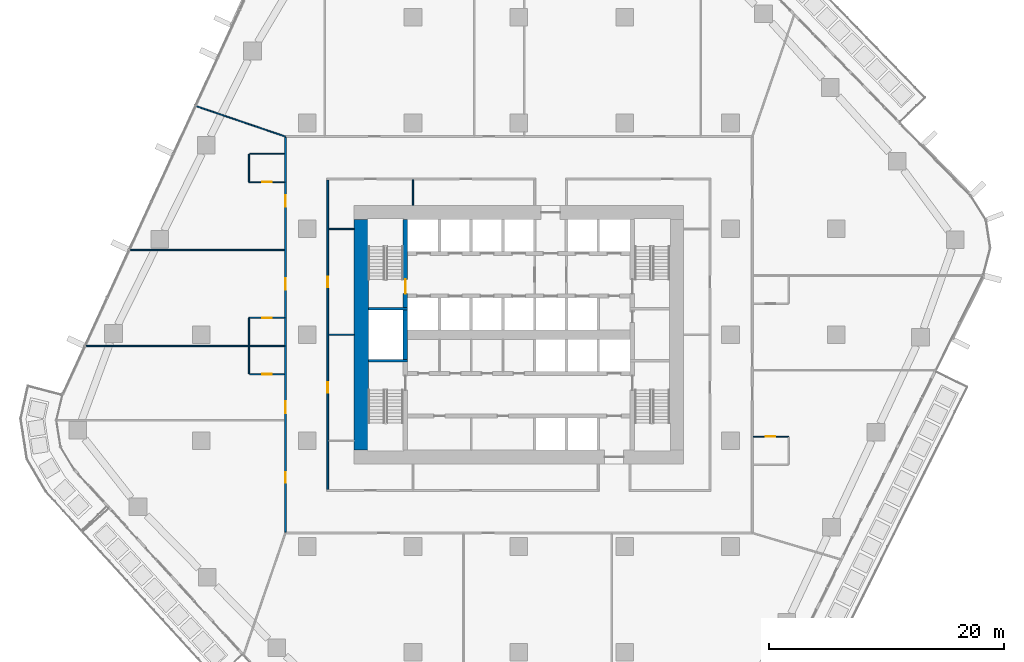
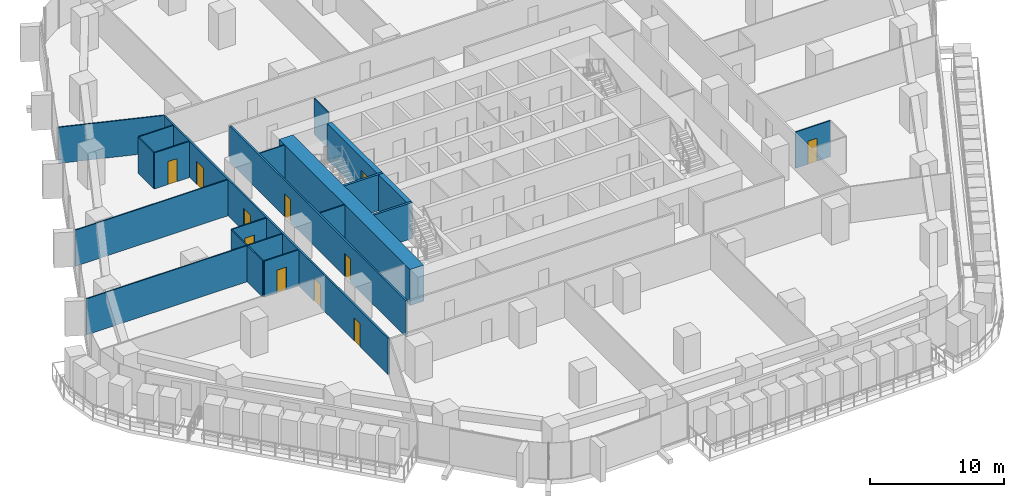
# One storey, part 14 of 26: 21 walls, 11 doors, 11 openings.
"""IFC4 building model written with IfcOpenShell, lengths in metres."""

from ifc_helpers import new_model, si_unit, direction, frame, frame_2d, origin, place, context, subcontext, project, spatial, rectangle, extrude, material, layer, layer_set, type_object, element, fill, save


model = new_model("IFC4")

# Units and contexts
model_context = context("Model", 3, precision=1e-05, world=origin(), true_north=direction((0.0, 1.0)))
body_context = subcontext(model_context, "Body", "Model", "MODEL_VIEW")
ifc_project = project(units=[si_unit("LENGTHUNIT", "METRE"), si_unit("AREAUNIT", "SQUARE_METRE"), si_unit("VOLUMEUNIT", "CUBIC_METRE"), si_unit("PLANEANGLEUNIT", "RADIAN"), si_unit("MASSUNIT", "GRAM", prefix="KILO")], contexts=[model_context])

# Site, building, storey
site_placement = place(None, origin())
site = spatial("IfcSite", under=ifc_project, at=site_placement, CompositionType="ELEMENT")
building_placement = place(site_placement, origin())
building = spatial("IfcBuilding", under=site, at=building_placement, Name="Dongbaek Canopy Tower", CompositionType="ELEMENT")
storey_placement = place(building_placement, frame((0.0, 0.0, 69.89990234375)))
storey = spatial("IfcBuildingStorey", under=building, at=storey_placement, Name="L13", CompositionType="ELEMENT", Elevation=69.89990234375)

# Wall
ifc_material_1 = material(Name="Concrete C60/75", Category="concrete")
ifc_layer_1 = layer(ifc_material_1, 1.199951171875)
ifc_layer_set_1 = layer_set([ifc_layer_1], Name="Core outer wall 1200 Concrete C60/75")
wall_type_1 = type_object("IfcWallType", Name="Core outer wall 1200 Concrete C60/75", PredefinedType="SHEAR", material=ifc_layer_set_1)
wall_1_placement = place(storey_placement, frame((-13.39990234375, -9.800048828125, 0.0), z_axis=(0.0, 0.0, 1.0), x_axis=(0.0, 1.0, 0.0)))
element("IfcWall", 1, at=wall_1_placement, inside=storey, type_object=wall_type_1, Name="Core wall", PredefinedType="SHEAR", context=body_context, shape_type="SweptSolid", body=[
    extrude(rectangle(XDim=19.60009765625, YDim=1.199951171875, at=frame_2d((9.800048828125, 0.0))), origin(), (0.0, 0.0, 1.0), 3.300048828125),
])

# Wall, openings, doors
ifc_material_2 = material(Name="Gypsum board partition, steel stud, 2 x 15 mm fire board", Category="steel")
ifc_layer_2 = layer(ifc_material_2, 0.14990234375)
ifc_layer_set_2 = layer_set([ifc_layer_2], Name="Fire-rated partition 150 gypsum board")
wall_type_2 = type_object("IfcWallType", Name="Fire-rated partition 150 gypsum board", PredefinedType="PARTITIONING", material=ifc_layer_set_2)
wall_2_placement = place(storey_placement, frame((-16.25, 13.175048828125, 0.0), z_axis=(0.0, 0.0, 1.0), x_axis=(0.0, -1.0, 0.0)))
wall_2 = element("IfcWall", 2, at=wall_2_placement, inside=storey, type_object=wall_type_2, Name="Corridor partition", PredefinedType="PARTITIONING", context=body_context, shape_type="SweptSolid", body=[
    extrude(rectangle(XDim=26.35009765625, YDim=0.14990234375, at=frame_2d((13.175048828125, 0.0))), origin(), (0.0, 0.0, 1.0), 3.300048828125),
])
opening_1_placement = place(wall_2_placement, frame((17.22509765625, 0.0, 0.0)))
opening_1 = element("IfcOpeningElement", 3, at=opening_1_placement, cuts=wall_2, Name="Opening L13-D018", PredefinedType="OPENING", context=body_context, shape_type="SweptSolid", body=[
    extrude(rectangle(XDim=0.89990234375, YDim=2.10009765625, at=frame_2d((0.449951171875, 1.050048828125))), frame((0.0, 0.0849609375, 0.0), z_axis=(0.0, -1.0, 0.0), x_axis=(1.0, 0.0, 0.0)), (0.0, 0.0, 1.0), 0.169921875),
])
opening_2_placement = place(wall_2_placement, frame((8.22509765625, 0.0, 0.0)))
opening_2 = element("IfcOpeningElement", 4, at=opening_2_placement, cuts=wall_2, Name="Opening L13-D026", PredefinedType="OPENING", context=body_context, shape_type="SweptSolid", body=[
    extrude(rectangle(XDim=0.89990234375, YDim=2.10009765625, at=frame_2d((0.449951171875, 1.050048828125))), frame((0.0, 0.0849609375, 0.0), z_axis=(0.0, -1.0, 0.0), x_axis=(1.0, 0.0, 0.0)), (0.0, 0.0, 1.0), 0.169921875),
])
ifc_material_3 = material(Name="Timber veneered door leaf", Category="wood")
door_type_1 = type_object("IfcDoorType", Name="Room door 900 x 2100", OperationType="SINGLE_SWING_LEFT", PredefinedType="DOOR", material=ifc_material_3)
door_1_placement = place(opening_1_placement, origin())
door_1 = element("IfcDoor", 5, at=door_1_placement, inside=storey, type_object=door_type_1, Name="Door L13-D018", OperationType="SINGLE_SWING_RIGHT", OverallHeight=2.10009765625, OverallWidth=0.89990234375, PredefinedType="DOOR", context=body_context, shape_type="SweptSolid", body=[
    extrude(rectangle(XDim=0.89990234375, YDim=2.10009765625, at=frame_2d((0.449951171875, 1.050048828125))), frame((0.0, 0.02490234375, 0.0), z_axis=(0.0, -1.0, 0.0), x_axis=(1.0, 0.0, 0.0)), (0.0, 0.0, 1.0), 0.050048828125),
])
fill(opening_1, door_1)
door_2_placement = place(opening_2_placement, origin())
door_2 = element("IfcDoor", 6, at=door_2_placement, inside=storey, type_object=door_type_1, Name="Door L13-D026", OperationType="SINGLE_SWING_RIGHT", OverallHeight=2.10009765625, OverallWidth=0.89990234375, PredefinedType="DOOR", context=body_context, shape_type="SweptSolid", body=[
    extrude(rectangle(XDim=0.89990234375, YDim=2.10009765625, at=frame_2d((0.449951171875, 1.050048828125))), frame((0.0, 0.02490234375, 0.0), z_axis=(0.0, -1.0, 0.0), x_axis=(1.0, 0.0, 0.0)), (0.0, 0.0, 1.0), 0.050048828125),
])
fill(opening_2, door_2)

wall_3_placement = place(storey_placement, frame((-19.85009765625, -16.77490234375, 0.0), z_axis=(0.0, 0.0, 1.0), x_axis=(0.0, 1.0, 0.0)))
wall_3 = element("IfcWall", 7, at=wall_3_placement, inside=storey, type_object=wall_type_2, Name="Corridor partition", PredefinedType="PARTITIONING", context=body_context, shape_type="SweptSolid", body=[
    extrude(rectangle(XDim=33.5498046875, YDim=0.14990234375, at=frame_2d((16.77490234375, 0.0))), origin(), (0.0, 0.0, 1.0), 3.300048828125),
])
opening_3_placement = place(wall_3_placement, frame((10.123046875, 0.0, 0.0)))
opening_3 = element("IfcOpeningElement", 8, at=opening_3_placement, cuts=wall_3, Name="Opening L13-D002", PredefinedType="OPENING", context=body_context, shape_type="SweptSolid", body=[
    extrude(rectangle(XDim=1.0, YDim=2.10009765625, at=frame_2d((0.5, 1.050048828125))), frame((0.0, 0.0849609375, 0.0), z_axis=(0.0, -1.0, 0.0), x_axis=(1.0, 0.0, 0.0)), (0.0, 0.0, 1.0), 0.169921875),
])
opening_4_placement = place(wall_3_placement, frame((4.178955078125, 0.0, 0.0)))
opening_4 = element("IfcOpeningElement", 9, at=opening_4_placement, cuts=wall_3, Name="Opening L13-D003", PredefinedType="OPENING", context=body_context, shape_type="SweptSolid", body=[
    extrude(rectangle(XDim=0.89990234375, YDim=2.10009765625, at=frame_2d((0.449951171875, 1.050048828125))), frame((0.0, 0.0849609375, 0.0), z_axis=(0.0, -1.0, 0.0), x_axis=(1.0, 0.0, 0.0)), (0.0, 0.0, 1.0), 0.169921875),
])
opening_5_placement = place(wall_3_placement, frame((27.651123046875, 0.0, 0.0)))
opening_5 = element("IfcOpeningElement", 10, at=opening_5_placement, cuts=wall_3, Name="Opening L13-D015", PredefinedType="OPENING", context=body_context, shape_type="SweptSolid", body=[
    extrude(rectangle(XDim=1.0, YDim=2.10009765625, at=frame_2d((0.5, 1.050048828125))), frame((0.0, 0.0849609375, 0.0), z_axis=(0.0, -1.0, 0.0), x_axis=(1.0, 0.0, 0.0)), (0.0, 0.0, 1.0), 0.169921875),
])
opening_6_placement = place(wall_3_placement, frame((20.6005859375, 0.0, 0.0)))
opening_6 = element("IfcOpeningElement", 11, at=opening_6_placement, cuts=wall_3, Name="Opening L13-D017", PredefinedType="OPENING", context=body_context, shape_type="SweptSolid", body=[
    extrude(rectangle(XDim=1.0, YDim=2.10009765625, at=frame_2d((0.5, 1.050048828125))), frame((0.0, 0.0849609375, 0.0), z_axis=(0.0, -1.0, 0.0), x_axis=(1.0, 0.0, 0.0)), (0.0, 0.0, 1.0), 0.169921875),
])
ifc_material_4 = material(Name="Timber veneered door leaf", Category="wood")
door_type_2 = type_object("IfcDoorType", Name="Guest room door 1000 x 2100", OperationType="SINGLE_SWING_LEFT", PredefinedType="DOOR", material=ifc_material_4)
door_3_placement = place(opening_3_placement, origin())
door_3 = element("IfcDoor", 12, at=door_3_placement, inside=storey, type_object=door_type_2, Name="Door L13-D002", OperationType="SINGLE_SWING_RIGHT", OverallHeight=2.10009765625, OverallWidth=1.0, PredefinedType="DOOR", context=body_context, shape_type="SweptSolid", body=[
    extrude(rectangle(XDim=1.0, YDim=2.10009765625, at=frame_2d((0.5, 1.050048828125))), frame((0.0, 0.02490234375, 0.0), z_axis=(0.0, -1.0, 0.0), x_axis=(1.0, 0.0, 0.0)), (0.0, 0.0, 1.0), 0.050048828125),
])
fill(opening_3, door_3)
door_4_placement = place(opening_5_placement, origin())
door_4 = element("IfcDoor", 13, at=door_4_placement, inside=storey, type_object=door_type_2, Name="Door L13-D015", OperationType="SINGLE_SWING_RIGHT", OverallHeight=2.10009765625, OverallWidth=1.0, PredefinedType="DOOR", context=body_context, shape_type="SweptSolid", body=[
    extrude(rectangle(XDim=1.0, YDim=2.10009765625, at=frame_2d((0.5, 1.050048828125))), frame((0.0, 0.02490234375, 0.0), z_axis=(0.0, -1.0, 0.0), x_axis=(1.0, 0.0, 0.0)), (0.0, 0.0, 1.0), 0.050048828125),
])
fill(opening_5, door_4)
door_5_placement = place(opening_6_placement, origin())
door_5 = element("IfcDoor", 14, at=door_5_placement, inside=storey, type_object=door_type_2, Name="Door L13-D017", OperationType="SINGLE_SWING_LEFT", OverallHeight=2.10009765625, OverallWidth=1.0, PredefinedType="DOOR", context=body_context, shape_type="SweptSolid", body=[
    extrude(rectangle(XDim=1.0, YDim=2.10009765625, at=frame_2d((0.5, 1.050048828125))), frame((0.0, 0.02490234375, 0.0), z_axis=(0.0, -1.0, 0.0), x_axis=(1.0, 0.0, 0.0)), (0.0, 0.0, 1.0), 0.050048828125),
])
fill(opening_6, door_5)
door_6_placement = place(opening_4_placement, origin())
door_6 = element("IfcDoor", 15, at=door_6_placement, inside=storey, type_object=door_type_1, Name="Door L13-D003", OperationType="SINGLE_SWING_LEFT", OverallHeight=2.10009765625, OverallWidth=0.89990234375, PredefinedType="DOOR", context=body_context, shape_type="SweptSolid", body=[
    extrude(rectangle(XDim=0.89990234375, YDim=2.10009765625, at=frame_2d((0.449951171875, 1.050048828125))), frame((0.0, 0.02490234375, 0.0), z_axis=(0.0, -1.0, 0.0), x_axis=(1.0, 0.0, 0.0)), (0.0, 0.0, 1.0), 0.050048828125),
])
fill(opening_4, door_6)

# Wall, opening, door
ifc_material_5 = material(Name="Gypsum board partition, steel stud, 2 x 12.5 mm board", Category="steel")
ifc_layer_3 = layer(ifc_material_5, 0.10009765625)
ifc_layer_set_3 = layer_set([ifc_layer_3], Name="Partition 100 gypsum board")
wall_type_3 = type_object("IfcWallType", Name="Partition 100 gypsum board", PredefinedType="PARTITIONING", material=ifc_layer_set_3)
wall_4_placement = place(storey_placement, frame((22.949951171875, -8.657958984375, 0.0), z_axis=(0.0, 0.0, 1.0), x_axis=(-1.0, 0.0, 0.0)))
wall_4 = element("IfcWall", 16, at=wall_4_placement, inside=storey, type_object=wall_type_3, Name="Partition", PredefinedType="PARTITIONING", context=body_context, shape_type="SweptSolid", body=[
    extrude(rectangle(XDim=3.02490234375, YDim=0.10009765625, at=frame_2d((1.512451171875, 0.0))), origin(), (0.0, 0.0, 1.0), 3.300048828125),
])
opening_7_placement = place(wall_4_placement, frame((1.14990234375, 0.0, 0.0)))
opening_7 = element("IfcOpeningElement", 17, at=opening_7_placement, cuts=wall_4, Name="Opening L13-D006", PredefinedType="OPENING", context=body_context, shape_type="SweptSolid", body=[
    extrude(rectangle(XDim=0.800048828125, YDim=2.10009765625, at=frame_2d((0.39990234375, 1.050048828125))), frame((0.0, 0.06005859375, 0.0), z_axis=(0.0, -1.0, 0.0), x_axis=(1.0, 0.0, 0.0)), (0.0, 0.0, 1.0), 0.1201171875),
])
ifc_material_6 = material(Name="Timber veneered door leaf", Category="wood")
door_type_3 = type_object("IfcDoorType", Name="En-suite door 800 x 2100", OperationType="SINGLE_SWING_LEFT", PredefinedType="DOOR", material=ifc_material_6)
door_7_placement = place(opening_7_placement, origin())
door_7 = element("IfcDoor", 18, at=door_7_placement, inside=storey, type_object=door_type_3, Name="Door L13-D006", OperationType="SINGLE_SWING_LEFT", OverallHeight=2.10009765625, OverallWidth=0.800048828125, PredefinedType="DOOR", context=body_context, shape_type="SweptSolid", body=[
    extrude(rectangle(XDim=0.800048828125, YDim=2.10009765625, at=frame_2d((0.39990234375, 1.050048828125))), frame((0.0, 0.02490234375, 0.0), z_axis=(0.0, -1.0, 0.0), x_axis=(1.0, 0.0, 0.0)), (0.0, 0.0, 1.0), 0.050048828125),
])
fill(opening_7, door_7)

wall_5_placement = place(storey_placement, frame((-22.89990234375, -3.35888671875, 0.0), z_axis=(0.0, 0.0, 1.0), x_axis=(1.0, 0.0, 0.0)))
wall_5 = element("IfcWall", 19, at=wall_5_placement, inside=storey, type_object=wall_type_3, Name="Partition", PredefinedType="PARTITIONING", context=body_context, shape_type="SweptSolid", body=[
    extrude(rectangle(XDim=2.974853515625, YDim=0.10009765625, at=frame_2d((1.4873046875, 0.0))), origin(), (0.0, 0.0, 1.0), 3.300048828125),
])
opening_8_placement = place(wall_5_placement, frame((1.10009765625, 0.0, 0.0)))
opening_8 = element("IfcOpeningElement", 20, at=opening_8_placement, cuts=wall_5, Name="Opening L13-D001", PredefinedType="OPENING", context=body_context, shape_type="SweptSolid", body=[
    extrude(rectangle(XDim=0.800048828125, YDim=2.10009765625, at=frame_2d((0.39990234375, 1.050048828125))), frame((0.0, 0.06005859375, 0.0), z_axis=(0.0, -1.0, 0.0), x_axis=(1.0, 0.0, 0.0)), (0.0, 0.0, 1.0), 0.1201171875),
])
door_8_placement = place(opening_8_placement, origin())
door_8 = element("IfcDoor", 21, at=door_8_placement, inside=storey, type_object=door_type_3, Name="Door L13-D001", OperationType="SINGLE_SWING_LEFT", OverallHeight=2.10009765625, OverallWidth=0.800048828125, PredefinedType="DOOR", context=body_context, shape_type="SweptSolid", body=[
    extrude(rectangle(XDim=0.800048828125, YDim=2.10009765625, at=frame_2d((0.39990234375, 1.050048828125))), frame((0.0, 0.02490234375, 0.0), z_axis=(0.0, -1.0, 0.0), x_axis=(1.0, 0.0, 0.0)), (0.0, 0.0, 1.0), 0.050048828125),
])
fill(opening_8, door_8)

# Walls
wall_6_placement = place(storey_placement, frame((-36.87890625, -0.958984375, 0.0), z_axis=(0.0, 0.0, 1.0), x_axis=(1.0, 0.0, 0.0)))
element("IfcWall", 22, at=wall_6_placement, inside=storey, type_object=wall_type_3, Name="Partition", PredefinedType="PARTITIONING", context=body_context, shape_type="SweptSolid", body=[
    extrude(rectangle(XDim=16.953857421875, YDim=0.10009765625, at=frame_2d((8.47705078125, 0.0))), origin(), (0.0, 0.0, 1.0), 3.300048828125),
])
wall_7_placement = place(storey_placement, frame((-16.175048828125, 0.0, 0.0), z_axis=(0.0, 0.0, 1.0), x_axis=(1.0, 0.0, 0.0)))
element("IfcWall", 23, at=wall_7_placement, inside=storey, type_object=wall_type_3, Name="Partition", PredefinedType="PARTITIONING", context=body_context, shape_type="SweptSolid", body=[
    extrude(rectangle(XDim=2.175048828125, YDim=0.10009765625, at=frame_2d((1.08740234375, 0.0))), origin(), (0.0, 0.0, 1.0), 3.300048828125),
])

# Wall, opening, door
wall_8_placement = place(storey_placement, frame((-19.925048828125, 1.44091796875, 0.0), z_axis=(0.0, 0.0, 1.0), x_axis=(-1.0, 0.0, 0.0)))
wall_8 = element("IfcWall", 24, at=wall_8_placement, inside=storey, type_object=wall_type_3, Name="Partition", PredefinedType="PARTITIONING", context=body_context, shape_type="SweptSolid", body=[
    extrude(rectangle(XDim=3.02490234375, YDim=0.10009765625, at=frame_2d((1.512451171875, 0.0))), origin(), (0.0, 0.0, 1.0), 3.300048828125),
])
opening_9_placement = place(wall_8_placement, frame((1.074951171875, 0.0, 0.0)))
opening_9 = element("IfcOpeningElement", 25, at=opening_9_placement, cuts=wall_8, Name="Opening L13-D016", PredefinedType="OPENING", context=body_context, shape_type="SweptSolid", body=[
    extrude(rectangle(XDim=0.800048828125, YDim=2.10009765625, at=frame_2d((0.39990234375, 1.050048828125))), frame((0.0, 0.06005859375, 0.0), z_axis=(0.0, -1.0, 0.0), x_axis=(1.0, 0.0, 0.0)), (0.0, 0.0, 1.0), 0.1201171875),
])
door_9_placement = place(opening_9_placement, origin())
door_9 = element("IfcDoor", 26, at=door_9_placement, inside=storey, type_object=door_type_3, Name="Door L13-D016", OperationType="SINGLE_SWING_RIGHT", OverallHeight=2.10009765625, OverallWidth=0.800048828125, PredefinedType="DOOR", context=body_context, shape_type="SweptSolid", body=[
    extrude(rectangle(XDim=0.800048828125, YDim=2.10009765625, at=frame_2d((0.39990234375, 1.050048828125))), frame((0.0, 0.02490234375, 0.0), z_axis=(0.0, -1.0, 0.0), x_axis=(1.0, 0.0, 0.0)), (0.0, 0.0, 1.0), 0.050048828125),
])
fill(opening_9, door_9)

# Walls
wall_9_placement = place(storey_placement, frame((-33.11962890625, 7.2109375, 0.0), z_axis=(0.0, 0.0, 1.0), x_axis=(1.0, 0.0, 0.0)))
element("IfcWall", 27, at=wall_9_placement, inside=storey, type_object=wall_type_3, Name="Partition", PredefinedType="PARTITIONING", context=body_context, shape_type="SweptSolid", body=[
    extrude(rectangle(XDim=13.194580078125, YDim=0.10009765625, at=frame_2d((6.59716796875, 0.0))), origin(), (0.0, 0.0, 1.0), 3.300048828125),
])
wall_10_placement = place(storey_placement, frame((-16.175048828125, 9.0, 0.0), z_axis=(0.0, 0.0, 1.0), x_axis=(1.0, 0.0, 0.0)))
element("IfcWall", 28, at=wall_10_placement, inside=storey, type_object=wall_type_3, Name="Partition", PredefinedType="PARTITIONING", context=body_context, shape_type="SweptSolid", body=[
    extrude(rectangle(XDim=2.175048828125, YDim=0.10009765625, at=frame_2d((1.08740234375, 0.0))), origin(), (0.0, 0.0, 1.0), 3.300048828125),
])

# Wall, opening, door
wall_11_placement = place(storey_placement, frame((-22.949951171875, 12.97998046875, 0.0), z_axis=(0.0, 0.0, 1.0), x_axis=(1.0, 0.0, 0.0)))
wall_11 = element("IfcWall", 29, at=wall_11_placement, inside=storey, type_object=wall_type_3, Name="Partition", PredefinedType="PARTITIONING", context=body_context, shape_type="SweptSolid", body=[
    extrude(rectangle(XDim=3.02490234375, YDim=0.10009765625, at=frame_2d((1.512451171875, 0.0))), origin(), (0.0, 0.0, 1.0), 3.300048828125),
])
opening_10_placement = place(wall_11_placement, frame((1.14990234375, 0.0, 0.0)))
opening_10 = element("IfcOpeningElement", 30, at=opening_10_placement, cuts=wall_11, Name="Opening L13-D014", PredefinedType="OPENING", context=body_context, shape_type="SweptSolid", body=[
    extrude(rectangle(XDim=0.800048828125, YDim=2.10009765625, at=frame_2d((0.39990234375, 1.050048828125))), frame((0.0, 0.06005859375, 0.0), z_axis=(0.0, -1.0, 0.0), x_axis=(1.0, 0.0, 0.0)), (0.0, 0.0, 1.0), 0.1201171875),
])
door_10_placement = place(opening_10_placement, origin())
door_10 = element("IfcDoor", 31, at=door_10_placement, inside=storey, type_object=door_type_3, Name="Door L13-D014", OperationType="SINGLE_SWING_LEFT", OverallHeight=2.10009765625, OverallWidth=0.800048828125, PredefinedType="DOOR", context=body_context, shape_type="SweptSolid", body=[
    extrude(rectangle(XDim=0.800048828125, YDim=2.10009765625, at=frame_2d((0.39990234375, 1.050048828125))), frame((0.0, 0.02490234375, 0.0), z_axis=(0.0, -1.0, 0.0), x_axis=(1.0, 0.0, 0.0)), (0.0, 0.0, 1.0), 0.050048828125),
])
fill(opening_10, door_10)

# Walls
wall_12_placement = place(storey_placement, frame((-22.89990234375, 15.3798828125, 0.0), z_axis=(0.0, 0.0, 1.0), x_axis=(1.0, 0.0, 0.0)))
element("IfcWall", 32, at=wall_12_placement, inside=storey, type_object=wall_type_3, Name="Partition", PredefinedType="PARTITIONING", context=body_context, shape_type="SweptSolid", body=[
    extrude(rectangle(XDim=2.974853515625, YDim=0.10009765625, at=frame_2d((1.4873046875, 0.0))), origin(), (0.0, 0.0, 1.0), 3.300048828125),
])
wall_13_placement = place(storey_placement, frame((-9.0, 11.0, 0.0), z_axis=(0.0, 0.0, 1.0), x_axis=(0.0, 1.0, 0.0)))
element("IfcWall", 33, at=wall_13_placement, inside=storey, type_object=wall_type_3, Name="Partition", PredefinedType="PARTITIONING", context=body_context, shape_type="SweptSolid", body=[
    extrude(rectangle(XDim=2.175048828125, YDim=0.10009765625, at=frame_2d((1.08740234375, 0.0))), origin(), (0.0, 0.0, 1.0), 3.300048828125),
])
wall_14_placement = place(storey_placement, frame((-22.949951171875, -3.30908203125, 0.0), z_axis=(0.0, 0.0, 1.0), x_axis=(0.0, 1.0, 0.0)))
element("IfcWall", 34, at=wall_14_placement, inside=storey, type_object=wall_type_3, Name="Partition", PredefinedType="PARTITIONING", context=body_context, shape_type="SweptSolid", body=[
    extrude(rectangle(XDim=2.300048828125, YDim=0.10009765625, at=frame_2d((1.14990234375, 0.0))), origin(), (0.0, 0.0, 1.0), 3.300048828125),
])
for number, where, z_axis, x_axis, name in (
    (35, (-22.949951171875, -0.908935546875, 0.0), (0.0, 0.0, 1.0), (0.0, 1.0, 0.0), "Partition"),
    (36, (-22.949951171875, 13.0302734375, 0.0), (0.0, 0.0, 1.0), (0.0, 1.0, 0.0), "Partition"),
):
    element("IfcWall", number, at=place(storey_placement, frame(where, z_axis=z_axis, x_axis=x_axis)), inside=storey, type_object=wall_type_3, Name=name, PredefinedType="PARTITIONING", context=body_context, shape_type="SweptSolid", body=[
        extrude(rectangle(XDim=2.2998046875, YDim=0.10009765625, at=frame_2d((1.14990234375, 0.0))), origin(), (0.0, 0.0, 1.0), 3.300048828125),
    ])
wall_15_placement = place(storey_placement, frame((-27.483642578125, 19.45849609375, 0.0), z_axis=(0.0, 0.0, 1.0), x_axis=(0.946262238114, -0.323400335065, 0.0)))
element("IfcWall", 37, at=wall_15_placement, inside=storey, type_object=wall_type_3, Name="Partition", PredefinedType="PARTITIONING", context=body_context, shape_type="SweptSolid", body=[
    extrude(rectangle(XDim=8.067138671875, YDim=0.10009765625, at=frame_2d((4.03369140625, 0.0))), origin(), (0.0, 0.0, 1.0), 3.300048828125),
])
ifc_material_7 = material(Name="Concrete C60/75", Category="concrete")
ifc_layer_4 = layer(ifc_material_7, 0.199951171875)
ifc_layer_set_4 = layer_set([ifc_layer_4], Name="Riser wall 200 Concrete C60/75")
wall_type_4 = type_object("IfcWallType", Name="Riser wall 200 Concrete C60/75", PredefinedType="SHEAR", material=ifc_layer_set_4)
for number, where, z_axis, x_axis, name in (
    (38, (-9.449951171875, 2.199951171875, 0.0), (0.0, 0.0, 1.0), (-1.0, 0.0, 0.0), "Riser wall"),
    (39, (-9.449951171875, -2.199951171875, 0.0), (0.0, 0.0, 1.0), (-1.0, 0.0, 0.0), "Riser wall"),
):
    element("IfcWall", number, at=place(storey_placement, frame(where, z_axis=z_axis, x_axis=x_axis)), inside=storey, type_object=wall_type_4, Name=name, PredefinedType="SHEAR", context=body_context, shape_type="SweptSolid", body=[
        extrude(rectangle(XDim=3.35009765625, YDim=0.199951171875, at=frame_2d((1.675048828125, 0.0))), origin(), (0.0, 0.0, 1.0), 3.300048828125),
    ])
ifc_material_8 = material(Name="Concrete C60/75", Category="concrete")
ifc_layer_5 = layer(ifc_material_8, 0.39990234375)
ifc_layer_set_5 = layer_set([ifc_layer_5], Name="Stair wall 400 Concrete C60/75")
wall_type_5 = type_object("IfcWallType", Name="Stair wall 400 Concrete C60/75", PredefinedType="SHEAR", material=ifc_layer_set_5)
wall_16_placement = place(storey_placement, frame((-9.64990234375, -2.10009765625, 0.0), z_axis=(0.0, 0.0, 1.0), x_axis=(0.0, 1.0, 0.0)))
element("IfcWall", 40, at=wall_16_placement, inside=storey, type_object=wall_type_5, Name="Stair wall", PredefinedType="SHEAR", context=body_context, shape_type="SweptSolid", body=[
    extrude(rectangle(XDim=4.2001953125, YDim=0.39990234375, at=frame_2d((2.10009765625, 0.0))), origin(), (0.0, 0.0, 1.0), 3.300048828125),
])

# Wall, opening, door
wall_17_placement = place(storey_placement, frame((-9.64990234375, 2.300048828125, 0.0), z_axis=(0.0, 0.0, 1.0), x_axis=(0.0, 1.0, 0.0)))
wall_17 = element("IfcWall", 41, at=wall_17_placement, inside=storey, type_object=wall_type_5, Name="Stair wall", PredefinedType="SHEAR", context=body_context, shape_type="SweptSolid", body=[
    extrude(rectangle(XDim=7.5, YDim=0.39990234375, at=frame_2d((3.75, 0.0))), origin(), (0.0, 0.0, 1.0), 3.300048828125),
])
opening_11_placement = place(wall_17_placement, frame((1.199951171875, 0.0, 0.0)))
opening_11 = element("IfcOpeningElement", 42, at=opening_11_placement, cuts=wall_17, Name="Opening L13-D053", PredefinedType="OPENING", context=body_context, shape_type="SweptSolid", body=[
    extrude(rectangle(XDim=1.199951171875, YDim=2.10009765625, at=frame_2d((0.60009765625, 1.050048828125))), frame((0.0, 0.2099609375, 0.0), z_axis=(0.0, -1.0, 0.0), x_axis=(1.0, 0.0, 0.0)), (0.0, 0.0, 1.0), 0.419921875),
])
ifc_material_9 = material(Name="Steel", Category="steel")
door_type_4 = type_object("IfcDoorType", Name="Stair door 1200 x 2100", OperationType="SINGLE_SWING_LEFT", PredefinedType="DOOR", material=ifc_material_9)
door_11_placement = place(opening_11_placement, origin())
door_11 = element("IfcDoor", 43, at=door_11_placement, inside=storey, type_object=door_type_4, Name="Stair C door", OperationType="SINGLE_SWING_RIGHT", OverallHeight=2.10009765625, OverallWidth=1.199951171875, PredefinedType="DOOR", context=body_context, shape_type="SweptSolid", body=[
    extrude(rectangle(XDim=1.199951171875, YDim=2.10009765625, at=frame_2d((0.60009765625, 1.050048828125))), frame((0.0, 0.02490234375, 0.0), z_axis=(0.0, -1.0, 0.0), x_axis=(1.0, 0.0, 0.0)), (0.0, 0.0, 1.0), 0.050048828125),
])
fill(opening_11, door_11)

save(model, "model.ifc")
